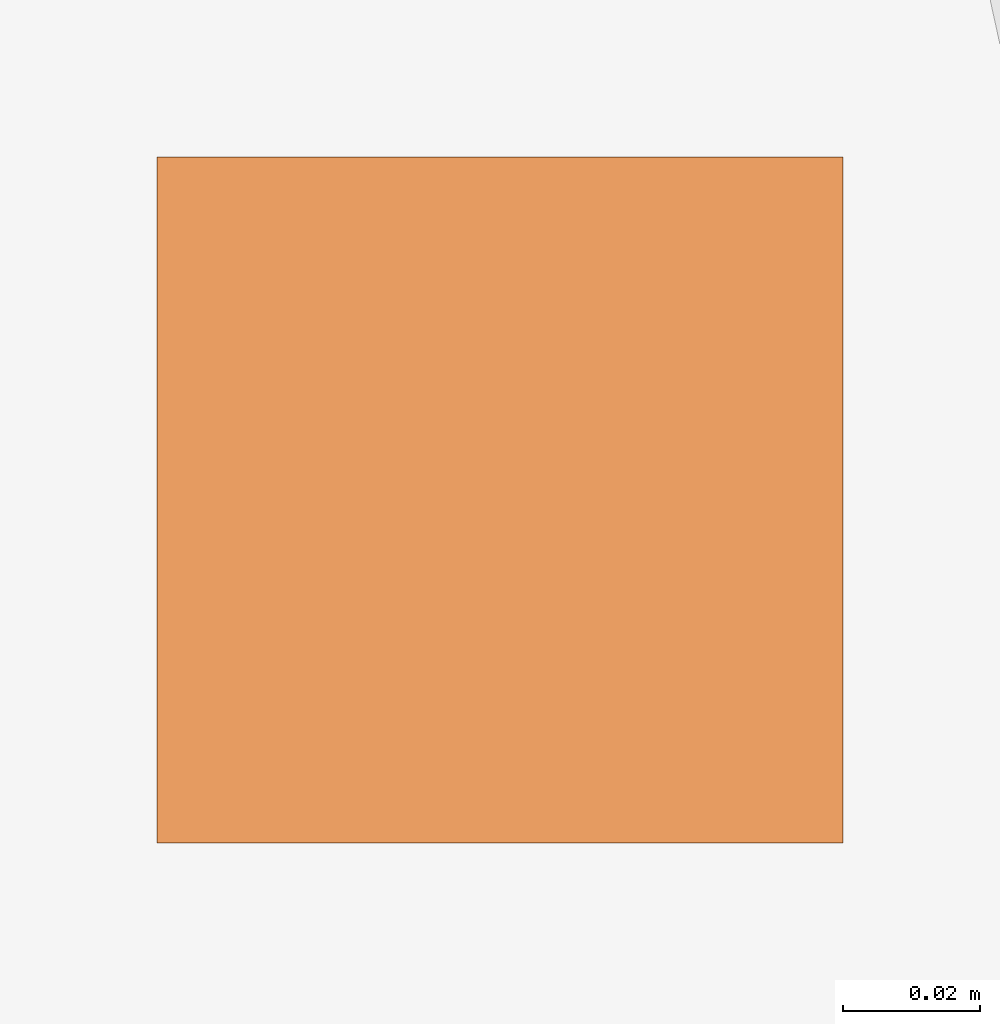
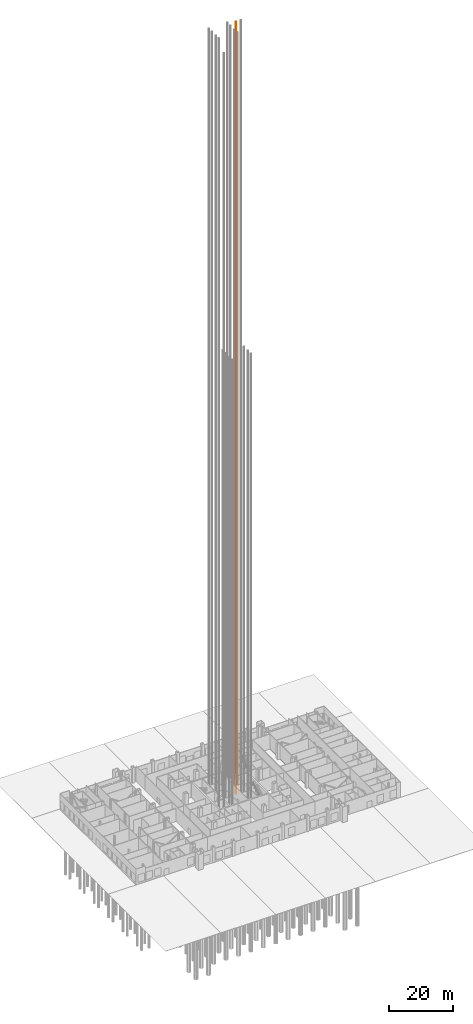
# One storey, part 34 of 36: 1 proxy.
"""IFC4 building model written with IfcOpenShell, lengths in metres."""

from ifc_helpers import new_model, si_unit, direction, frame, origin, origin_2d, place, context, subcontext, project, spatial, rectangle, extrude, material, type_object, element, save


model = new_model("IFC4")

# Units and contexts
model_context = context("Model", 3, precision=1e-05, world=origin(), true_north=direction((0.0, 1.0)))
body_context = subcontext(model_context, "Body", "Model", "MODEL_VIEW")
ifc_project = project(units=[si_unit("LENGTHUNIT", "METRE"), si_unit("AREAUNIT", "SQUARE_METRE"), si_unit("VOLUMEUNIT", "CUBIC_METRE"), si_unit("PLANEANGLEUNIT", "RADIAN"), si_unit("MASSUNIT", "GRAM", prefix="KILO")], contexts=[model_context])

# Site, building, storey
site_placement = place(None, origin())
site = spatial("IfcSite", under=ifc_project, at=site_placement, CompositionType="ELEMENT")
building_placement = place(site_placement, origin())
building = spatial("IfcBuilding", under=site, at=building_placement, Name="Malebo Sky Hospital", CompositionType="ELEMENT")
storey_placement = place(building_placement, origin())
storey = spatial("IfcBuildingStorey", under=building, at=storey_placement, Name="L00", CompositionType="ELEMENT", Elevation=0.0)

# Proxy
ifc_material = material(Name="Steel S355", Category="steel")
building_element_proxy_type = type_object("IfcBuildingElementProxyType", Name="LIFT GUIDE RAIL 100", PredefinedType="USERDEFINED", material=ifc_material)
proxy_placement = place(storey_placement, frame((65.949951171875, 68.5, 0.0)))
element("IfcBuildingElementProxy", 1, at=proxy_placement, inside=storey, type_object=building_element_proxy_type, Name="Lift FL2 guide rail 1", ObjectType="LIFT GUIDE RAIL", PredefinedType="USERDEFINED", context=body_context, shape_type="SweptSolid", body=[
    extrude(rectangle(XDim=0.10009765625, YDim=0.10009765625, at=origin_2d()), frame((0.0, 0.0, -2.25)), (0.0, 0.0, 1.0), 295.75),
])

save(model, "model.ifc")
